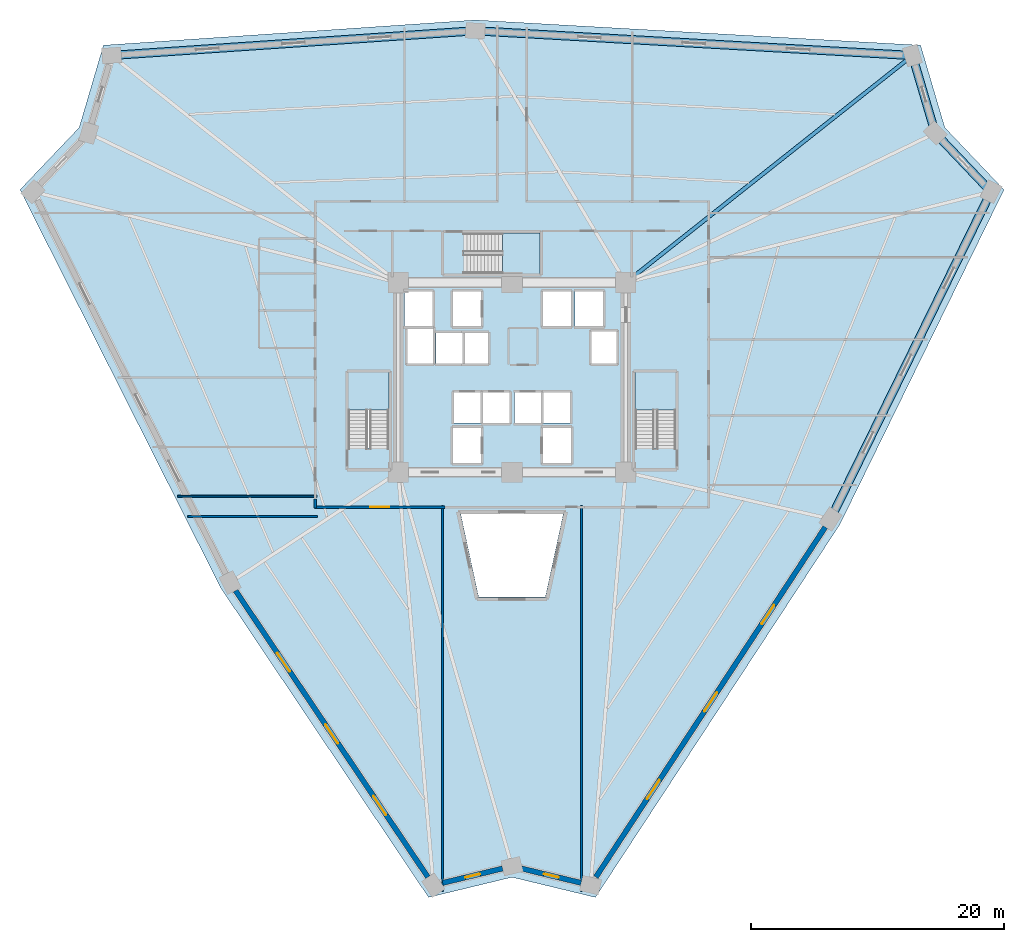
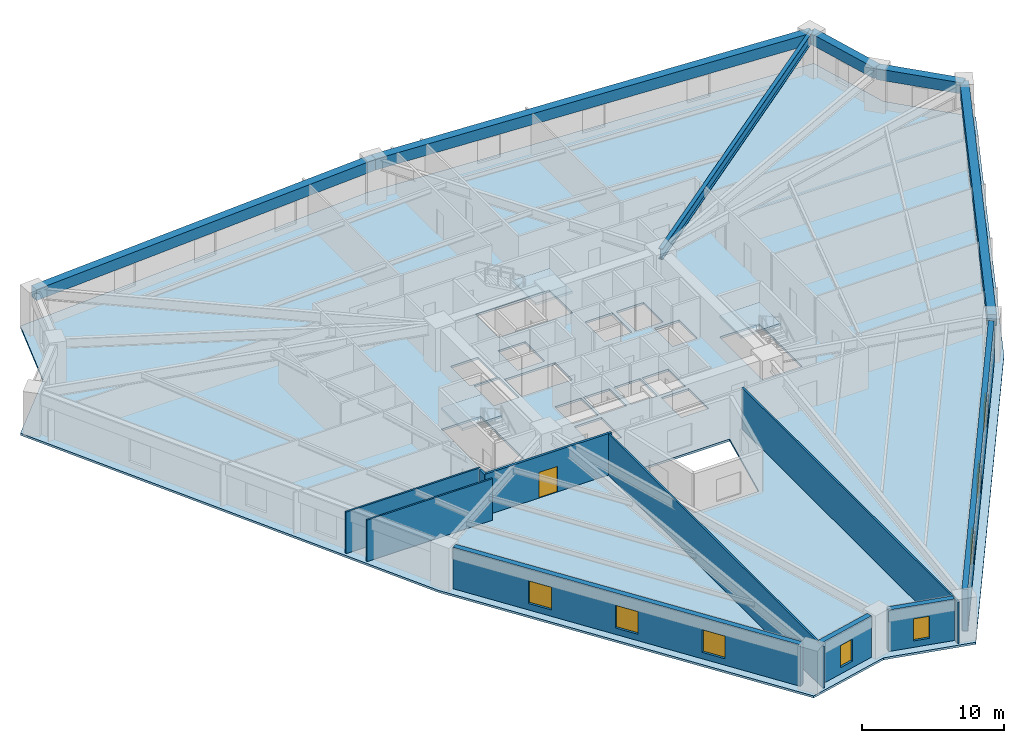
# One storey, part 2 of 8: 10 walls, 8 windows, 6 beams, 4 slabs, 1 door, 9 openings, 3 elements without a shape of their own.
"""IFC4 building model written with IfcOpenShell, lengths in metres."""

from ifc_helpers import new_model, si_unit, direction, frame, frame_2d, origin, origin_2d, place, context, subcontext, project, spatial, polyline, rectangle, i_section, outline, extrude, source, transform, mapped, material, layer, layer_set, material_profile, profile_set, type_object, element, fill, aggregate, save


model = new_model("IFC4")

# Units and contexts
model_context = context("Model", 3, precision=1e-05, world=origin(), true_north=direction((0.0, 1.0)))
body_context = subcontext(model_context, "Body", "Model", "MODEL_VIEW")
ifc_project = project(units=[si_unit("LENGTHUNIT", "METRE"), si_unit("AREAUNIT", "SQUARE_METRE"), si_unit("VOLUMEUNIT", "CUBIC_METRE"), si_unit("PLANEANGLEUNIT", "RADIAN"), si_unit("MASSUNIT", "GRAM", prefix="KILO")], contexts=[model_context])

# Site, building, storey
site_placement = place(None, origin())
site = spatial("IfcSite", under=ifc_project, at=site_placement, CompositionType="ELEMENT")
building_placement = place(site_placement, origin())
building = spatial("IfcBuilding", under=site, at=building_placement, Name="Liaohun Quay Tower", CompositionType="ELEMENT")
storey_placement = place(building_placement, frame((0.0, 0.0, 78.0)))
storey = spatial("IfcBuildingStorey", under=building, at=storey_placement, Name="L20", CompositionType="ELEMENT", Elevation=78.0)

# Beams
ifc_material_1 = material(Name="Steel Q420D", Category="steel")
ifc_material_profile_1 = material_profile(ifc_material_1, i_section(OverallWidth=0.300048828125, OverallDepth=0.89990234375, WebThickness=0.01611328125, FlangeThickness=0.028076171875, at=origin_2d()), Name="HN900x300x16x28")
ifc_profile_set_1 = profile_set([ifc_material_profile_1], Name="Steel Q420D")
beam_type_1 = type_object("IfcBeamType", Name="BM-RAD-H1", PredefinedType="BEAM", material=ifc_profile_set_1)
shared_shape_1 = source(origin(), body_context, "Body", "SweptSolid", [
    extrude(i_section(OverallWidth=0.300048828125, OverallDepth=0.89990234375, WebThickness=0.01611328125, FlangeThickness=0.028076171875, at=origin_2d()), origin(), (0.0, 0.0, 1.0), 28.9189453125),
])
beam_1_placement = place(storey_placement, frame((69.0, 61.5, 3.1201171875), z_axis=(0.783775959665, 0.621043674029, 0.0), x_axis=(-0.621043674029, 0.783775959665, 0.0)))
element("IfcBeam", 1, at=beam_1_placement, inside=storey, type_object=beam_type_1, Name="L20 Radial Primary Girder CC4-PC07", PredefinedType="BEAM", context=body_context, shape_type="MappedRepresentation", body=[
    mapped(shared_shape_1, transform((0.0, 0.0, 0.0), x_axis=(1.0, 0.0, 0.0), y_axis=(0.0, 1.0, 0.0), z_axis=(0.0, 0.0, 1.0), scale=1.0)),
])
ifc_material_2 = material(Name="Precast concrete C55", Category="concrete")
ifc_material_profile_2 = material_profile(ifc_material_2, rectangle(XDim=0.64990234375, YDim=0.949951171875, at=origin_2d()), Name="RC650x950")
ifc_profile_set_2 = profile_set([ifc_material_profile_2], Name="Precast concrete C55")
beam_type_2 = type_object("IfcBeamType", Name="BM-SPD-Z1", PredefinedType="SPANDREL", material=ifc_profile_set_2)
shared_shape_2 = source(origin(), body_context, "Body", "SweptSolid", [
    extrude(rectangle(XDim=0.64990234375, YDim=0.949951171875, at=origin_2d()), origin(), (0.0, 0.0, 1.0), 28.8271484375),
])
beam_2_placement = place(storey_placement, frame((28.3359375, 79.467041015625, 3.094970703125), z_axis=(0.99770728934, 0.067676914809, 0.0), x_axis=(-0.067676914809, 0.99770728934, 0.0)))
element("IfcBeam", 2, at=beam_2_placement, inside=storey, type_object=beam_type_2, Name="L20 Precast Spandrel Beam PC05-PC06", PredefinedType="SPANDREL", context=body_context, shape_type="MappedRepresentation", body=[
    mapped(shared_shape_2, transform((0.0, 0.0, 0.0), x_axis=(1.0, 0.0, 0.0), y_axis=(0.0, 1.0, 0.0), z_axis=(0.0, 0.0, 1.0), scale=1.0)),
])
shared_shape_3 = source(origin(), body_context, "Body", "SweptSolid", [
    extrude(rectangle(XDim=0.64990234375, YDim=0.949951171875, at=origin_2d()), origin(), (0.0, 0.0, 1.0), 34.62451171875),
])
beam_3_placement = place(storey_placement, frame((57.096923828125, 81.41796875, 3.094970703125), z_axis=(0.998399780783, -0.056549781008, 0.0), x_axis=(0.056549781008, 0.998399780783, 0.0)))
element("IfcBeam", 3, at=beam_3_placement, inside=storey, type_object=beam_type_2, Name="L20 Precast Spandrel Beam PC06-PC07", PredefinedType="SPANDREL", context=body_context, shape_type="MappedRepresentation", body=[
    mapped(shared_shape_3, transform((0.0, 0.0, 0.0), x_axis=(1.0, 0.0, 0.0), y_axis=(0.0, 1.0, 0.0), z_axis=(0.0, 0.0, 1.0), scale=1.0)),
])
shared_shape_4 = source(origin(), body_context, "Body", "SweptSolid", [
    extrude(rectangle(XDim=0.64990234375, YDim=0.949951171875, at=origin_2d()), origin(), (0.0, 0.0, 1.0), 6.39501953125),
])
beam_4_placement = place(storey_placement, frame((91.666015625, 79.4599609375, 3.094970703125), z_axis=(0.282738807051, -0.959196938583, 0.0), x_axis=(0.959196938583, 0.282738807051, 0.0)))
element("IfcBeam", 4, at=beam_4_placement, inside=storey, type_object=beam_type_2, Name="L20 Precast Spandrel Beam PC07-PC08", PredefinedType="SPANDREL", context=body_context, shape_type="MappedRepresentation", body=[
    mapped(shared_shape_4, transform((0.0, 0.0, 0.0), x_axis=(1.0, 0.0, 0.0), y_axis=(0.0, 1.0, 0.0), z_axis=(0.0, 0.0, 1.0), scale=1.0)),
])
shared_shape_5 = source(origin(), body_context, "Body", "SweptSolid", [
    extrude(rectangle(XDim=0.64990234375, YDim=0.949951171875, at=origin_2d()), origin(), (0.0, 0.0, 1.0), 6.40185546875),
])
beam_5_placement = place(storey_placement, frame((93.47412109375, 73.325927734375, 3.094970703125), z_axis=(0.689307516097, -0.724468873211, 0.0), x_axis=(0.724468873211, 0.689307516097, 0.0)))
element("IfcBeam", 5, at=beam_5_placement, inside=storey, type_object=beam_type_2, Name="L20 Precast Spandrel Beam PC08-PC09", PredefinedType="SPANDREL", context=body_context, shape_type="MappedRepresentation", body=[
    mapped(shared_shape_5, transform((0.0, 0.0, 0.0), x_axis=(1.0, 0.0, 0.0), y_axis=(0.0, 1.0, 0.0), z_axis=(0.0, 0.0, 1.0), scale=1.0)),
])
shared_shape_6 = source(origin(), body_context, "Body", "SweptSolid", [
    extrude(rectangle(XDim=0.64990234375, YDim=0.949951171875, at=origin_2d()), origin(), (0.0, 0.0, 1.0), 28.826171875),
])
beam_6_placement = place(storey_placement, frame((97.886962890625, 68.68798828125, 3.094970703125), z_axis=(-0.440258571868, -0.897871031884, 0.0), x_axis=(0.897871031884, -0.440258571868, 0.0)))
element("IfcBeam", 6, at=beam_6_placement, inside=storey, type_object=beam_type_2, Name="L20 Precast Spandrel Beam PC09-PC10", PredefinedType="SPANDREL", context=body_context, shape_type="MappedRepresentation", body=[
    mapped(shared_shape_6, transform((0.0, 0.0, 0.0), x_axis=(1.0, 0.0, 0.0), y_axis=(0.0, 1.0, 0.0), z_axis=(0.0, 0.0, 1.0), scale=1.0)),
])

# Stair, slab
ifc_material_3 = material(Name="Concrete C45", Category="concrete")
stair_type = type_object("IfcStairType", Name="STR-CORE-OFF", PredefinedType="HALF_TURN_STAIR", material=ifc_material_3)
stair_1_placement = place(storey_placement, origin())
stair_1 = element("IfcStair", 7, at=stair_1_placement, inside=storey, type_object=stair_type, Name="L20 Smokeproof Core Exit Stair ST-1", PredefinedType="HALF_TURN_STAIR")
ifc_layer_1 = layer(ifc_material_3, 0.199951171875, Name="Concrete C45", Category="concrete")
ifc_layer_set_1 = layer_set([ifc_layer_1], Name="Concrete C45")
slab_type_1 = type_object("IfcSlabType", Name="SLB-LND-200", PredefinedType="LANDING", material=ifc_layer_set_1)
slab_1_placement = place(storey_placement, frame((0.0, 0.0, 1.675048828125)))
slab_1 = element("IfcSlab", 8, at=slab_1_placement, type_object=slab_type_1, Name="ST-1 landing 1", PredefinedType="LANDING", context=body_context, shape_type="SweptSolid", body=[
    extrude(outline(polyline([(50.280029296875, 51.429931640625), (50.280029296875, 54.419921875), (47.0400390625, 54.419921875), (47.0400390625, 51.429931640625), (50.280029296875, 51.429931640625)])), origin(), (0.0, 0.0, 1.0), 0.199951171875),
])
aggregate(stair_1, [slab_1])

stair_2_placement = place(storey_placement, origin())
stair_2 = element("IfcStair", 9, at=stair_2_placement, inside=storey, type_object=stair_type, Name="L20 Smokeproof Core Exit Stair ST-2", PredefinedType="HALF_TURN_STAIR")
slab_2_placement = place(storey_placement, frame((0.0, 0.0, 1.675048828125)))
slab_2 = element("IfcSlab", 10, at=slab_2_placement, type_object=slab_type_1, Name="ST-2 landing 1", PredefinedType="LANDING", context=body_context, shape_type="SweptSolid", body=[
    extrude(outline(polyline([(72.9599609375, 51.429931640625), (72.9599609375, 54.419921875), (69.719970703125, 54.419921875), (69.719970703125, 51.429931640625), (72.9599609375, 51.429931640625)])), origin(), (0.0, 0.0, 1.0), 0.199951171875),
])
aggregate(stair_2, [slab_2])

stair_3_placement = place(storey_placement, origin())
stair_3 = element("IfcStair", 11, at=stair_3_placement, inside=storey, type_object=stair_type, Name="L20 Smokeproof Core Exit Stair ST-3", PredefinedType="HALF_TURN_STAIR")
slab_3_placement = place(storey_placement, frame((0.0, 0.0, 1.675048828125)))
slab_3 = element("IfcSlab", 12, at=slab_3_placement, type_object=slab_type_1, Name="ST-3 landing 1", PredefinedType="LANDING", context=body_context, shape_type="SweptSolid", body=[
    extrude(outline(polyline([(59.22998046875, 62.199951171875), (62.219970703125, 62.199951171875), (62.219970703125, 65.43994140625), (59.22998046875, 65.43994140625), (59.22998046875, 62.199951171875)])), origin(), (0.0, 0.0, 1.0), 0.199951171875),
])
aggregate(stair_3, [slab_3])

# Slab
ifc_layer_2 = layer(ifc_material_3, 0.179931640625, Name="Concrete C45", Category="concrete")
ifc_layer_set_2 = layer_set([ifc_layer_2], Name="Concrete C45")
slab_type_2 = type_object("IfcSlabType", Name="SLB-OFF-180", PredefinedType="FLOOR", material=ifc_layer_set_2)
slab_4_placement = place(storey_placement, frame((0.0, 0.0, -0.179931640625)))
element("IfcSlab", 13, at=slab_4_placement, inside=storey, type_object=slab_type_2, Name="L20 Structural Floor Slab", PredefinedType="FLOOR", context=body_context, shape_type="SweptSolid", body=[
    extrude(outline(polyline([(53.40087890625, 12.87890625), (60.0, 14.472900390625), (66.59912109375, 12.87890625), (85.93603515625, 42.384033203125), (98.910888671875, 68.844970703125), (94.23095703125, 73.762939453125), (92.31201171875, 80.27490234375), (57.092041015625, 82.27001953125), (27.68798828125, 80.27490234375), (25.76904296875, 73.762939453125), (21.089111328125, 68.844970703125), (36.971923828125, 37.346923828125), (53.40087890625, 12.87890625)]), holes=[polyline([(57.56005859375, 47.2099609375), (57.56005859375, 50.030029296875), (55.340087890625, 50.030029296875), (55.340087890625, 47.2099609375), (57.56005859375, 47.2099609375)]), polyline([(50.280029296875, 54.419921875), (47.0400390625, 54.419921875), (47.0400390625, 48.409912109375), (50.280029296875, 48.409912109375), (50.280029296875, 54.419921875)]), polyline([(57.510009765625, 50.389892578125), (57.510009765625, 52.81005859375), (55.389892578125, 52.81005859375), (55.389892578125, 50.389892578125), (57.510009765625, 50.389892578125)]), polyline([(59.81005859375, 50.389892578125), (59.81005859375, 52.81005859375), (57.68994140625, 52.81005859375), (57.68994140625, 50.389892578125), (59.81005859375, 50.389892578125)]), polyline([(58.110107421875, 57.510009765625), (53.989990234375, 57.510009765625), (53.989990234375, 55.090087890625), (58.110107421875, 55.090087890625), (58.110107421875, 57.510009765625)]), polyline([(53.760009765625, 55.090087890625), (53.760009765625, 57.909912109375), (51.7099609375, 57.909912109375), (51.7099609375, 55.090087890625), (53.760009765625, 55.090087890625)]), polyline([(51.489990234375, 58.0400390625), (53.7099609375, 58.0400390625), (53.7099609375, 60.7900390625), (51.489990234375, 60.7900390625), (51.489990234375, 58.0400390625)]), polyline([(55.340087890625, 58.0400390625), (57.56005859375, 58.0400390625), (57.56005859375, 60.7900390625), (55.340087890625, 60.7900390625), (55.340087890625, 58.0400390625)]), polyline([(62.636962890625, 36.631103515625), (64.056884765625, 43.199951171875), (55.943115234375, 43.199951171875), (57.363037109375, 36.631103515625), (62.636962890625, 36.631103515625)]), polyline([(64.659912109375, 47.2099609375), (64.659912109375, 50.030029296875), (62.43994140625, 50.030029296875), (62.43994140625, 47.2099609375), (64.659912109375, 47.2099609375)]), polyline([(72.9599609375, 54.419921875), (69.719970703125, 54.419921875), (69.719970703125, 48.409912109375), (72.9599609375, 48.409912109375), (72.9599609375, 54.419921875)]), polyline([(62.31005859375, 50.389892578125), (62.31005859375, 52.81005859375), (60.18994140625, 52.81005859375), (60.18994140625, 50.389892578125), (62.31005859375, 50.389892578125)]), polyline([(64.610107421875, 50.389892578125), (64.610107421875, 52.81005859375), (62.489990234375, 52.81005859375), (62.489990234375, 50.389892578125), (64.610107421875, 50.389892578125)]), polyline([(68.2900390625, 55.090087890625), (68.2900390625, 57.659912109375), (66.2900390625, 57.659912109375), (66.2900390625, 55.090087890625), (68.2900390625, 55.090087890625)]), polyline([(64.659912109375, 58.0400390625), (64.659912109375, 60.7900390625), (62.43994140625, 60.7900390625), (62.43994140625, 58.0400390625), (64.659912109375, 58.0400390625)]), polyline([(64.989990234375, 58.0400390625), (67.2099609375, 58.0400390625), (67.2099609375, 60.7900390625), (64.989990234375, 60.7900390625), (64.989990234375, 58.0400390625)]), polyline([(56.2099609375, 62.199951171875), (62.219970703125, 62.199951171875), (62.219970703125, 65.43994140625), (56.2099609375, 65.43994140625), (56.2099609375, 62.199951171875)])]), origin(), (0.0, 0.0, 1.0), 0.179931640625),
])

# Wall, opening, window
ifc_material_4 = material(Name="Precast concrete C50 insulated sandwich", Category="concrete")
ifc_layer_3 = layer(ifc_material_4, 0.419921875, Name="Precast concrete C50 insulated sandwich", Category="concrete")
ifc_layer_set_3 = layer_set([ifc_layer_3], Name="Precast concrete C50 insulated sandwich")
wall_type_1 = type_object("IfcWallType", Name="WAL-EXT-Z12", PredefinedType="SOLIDWALL", material=ifc_layer_set_3)
wall_1_placement = place(storey_placement, frame((60.743896484375, 15.1669921875, 0.0), z_axis=(0.0, 0.0, 1.0), x_axis=(0.972088524974, -0.234614363613, 0.0)))
wall_1 = element("IfcWall", 14, at=wall_1_placement, inside=storey, type_object=wall_type_1, Name="L20 Brutalist Precast Pier Wall 01", PredefinedType="SOLIDWALL", context=body_context, shape_type="SweptSolid", body=[
    extrude(rectangle(XDim=4.86376953125, YDim=0.419921875, at=frame_2d((2.431884765625, 0.0))), origin(), (0.0, 0.0, 1.0), 3.570068359375),
])
shared_shape_7 = source(origin(), body_context, "Body", "SweptSolid", [
    extrude(rectangle(XDim=1.199951171875, YDim=1.89990234375, at=frame_2d((0.60009765625, 0.949951171875))), frame((0.0, 0.219970703125, 0.0), z_axis=(0.0, -1.0, 0.0), x_axis=(1.0, 0.0, 0.0)), (0.0, 0.0, 1.0), 0.43994140625),
])
opening_1_placement = place(wall_1_placement, frame((1.83203125, 0.0, 0.550048828125)))
opening_1 = element("IfcOpeningElement", 15, at=opening_1_placement, cuts=wall_1, Name="Opening W05", PredefinedType="OPENING", context=body_context, shape_type="MappedRepresentation", body=[
    mapped(shared_shape_7, transform((0.0, 0.0, 0.0), x_axis=(1.0, 0.0, 0.0), y_axis=(0.0, 1.0, 0.0), z_axis=(0.0, 0.0, 1.0), scale=1.0)),
])
ifc_material_5 = material(Name="Triple Low-E corner notch glazing", Category="glass")
window_type_1 = type_object("IfcWindowType", Name="WIN-NOTCH", PartitioningType="SINGLE_PANEL", PredefinedType="WINDOW", material=ifc_material_5)
shared_shape_8 = source(origin(), body_context, "Body", "SweptSolid", [
    extrude(rectangle(XDim=1.199951171875, YDim=1.89990234375, at=frame_2d((0.60009765625, 0.949951171875))), frame((0.0, 0.030029296875, 0.0), z_axis=(0.0, -1.0, 0.0), x_axis=(1.0, 0.0, 0.0)), (0.0, 0.0, 1.0), 0.06005859375),
])
window_1_placement = place(opening_1_placement, origin())
window_1 = element("IfcWindow", 16, at=window_1_placement, inside=storey, type_object=window_type_1, Name="L20 Corner Notch Window W05-01", OverallHeight=1.89990234375, OverallWidth=1.199951171875, PartitioningType="SINGLE_PANEL", PredefinedType="WINDOW", context=body_context, shape_type="MappedRepresentation", body=[
    mapped(shared_shape_8, transform((0.0, 0.0, 0.0), x_axis=(1.0, 0.0, 0.0), y_axis=(0.0, 1.0, 0.0), z_axis=(0.0, 0.0, 1.0), scale=1.0)),
])
fill(opening_1, window_1)

# Wall, openings, windows
wall_2_placement = place(storey_placement, frame((66.635009765625, 14.486083984375, 0.0), z_axis=(0.0, 0.0, 1.0), x_axis=(0.548173435932, 0.836364683699, 0.0)))
wall_2 = element("IfcWall", 17, at=wall_2_placement, inside=storey, type_object=wall_type_1, Name="L20 Brutalist Precast Pier Wall 02", PredefinedType="SOLIDWALL", context=body_context, shape_type="SweptSolid", body=[
    extrude(rectangle(XDim=33.095458984375, YDim=0.419921875, at=frame_2d((16.5478515625, 0.0))), origin(), (0.0, 0.0, 1.0), 3.570068359375),
])
shared_shape_9 = source(origin(), body_context, "Body", "SweptSolid", [
    extrude(rectangle(XDim=1.800048828125, YDim=1.949951171875, at=frame_2d((0.89990234375, 0.97509765625))), frame((0.0, 0.219970703125, 0.0), z_axis=(0.0, -1.0, 0.0), x_axis=(1.0, 0.0, 0.0)), (0.0, 0.0, 1.0), 0.43994140625),
])
opening_2_placement = place(wall_2_placement, frame((7.3740234375, 0.0, 0.550048828125)))
opening_2 = element("IfcOpeningElement", 18, at=opening_2_placement, cuts=wall_2, Name="Opening W01", PredefinedType="OPENING", context=body_context, shape_type="MappedRepresentation", body=[
    mapped(shared_shape_9, transform((0.0, 0.0, 0.0), x_axis=(1.0, 0.0, 0.0), y_axis=(0.0, 1.0, 0.0), z_axis=(0.0, 0.0, 1.0), scale=1.0)),
])
opening_3_placement = place(wall_2_placement, frame((15.64794921875, 0.0, 0.550048828125)))
opening_3 = element("IfcOpeningElement", 19, at=opening_3_placement, cuts=wall_2, Name="Opening W01", PredefinedType="OPENING", context=body_context, shape_type="MappedRepresentation", body=[
    mapped(shared_shape_9, transform((0.0, 0.0, 0.0), x_axis=(1.0, 0.0, 0.0), y_axis=(0.0, 1.0, 0.0), z_axis=(0.0, 0.0, 1.0), scale=1.0)),
])
opening_4_placement = place(wall_2_placement, frame((23.922119140625, 0.0, 0.550048828125)))
opening_4 = element("IfcOpeningElement", 20, at=opening_4_placement, cuts=wall_2, Name="Opening W01", PredefinedType="OPENING", context=body_context, shape_type="MappedRepresentation", body=[
    mapped(shared_shape_9, transform((0.0, 0.0, 0.0), x_axis=(1.0, 0.0, 0.0), y_axis=(0.0, 1.0, 0.0), z_axis=(0.0, 0.0, 1.0), scale=1.0)),
])
ifc_material_6 = material(Name="Triple Low-E argon glazing in thermally broken aluminium", Category="aluminium")
window_type_2 = type_object("IfcWindowType", Name="WIN-PUN-Z1", PartitioningType="DOUBLE_PANEL_VERTICAL", PredefinedType="WINDOW", material=ifc_material_6)
shared_shape_10 = source(origin(), body_context, "Body", "SweptSolid", [
    extrude(rectangle(XDim=1.800048828125, YDim=1.949951171875, at=frame_2d((0.89990234375, 0.97509765625))), frame((0.0, 0.030029296875, 0.0), z_axis=(0.0, -1.0, 0.0), x_axis=(1.0, 0.0, 0.0)), (0.0, 0.0, 1.0), 0.06005859375),
])
window_2_placement = place(opening_2_placement, origin())
window_2 = element("IfcWindow", 21, at=window_2_placement, inside=storey, type_object=window_type_2, Name="L20 Recessed Cold-Climate Punched Window 02-1", OverallHeight=1.949951171875, OverallWidth=1.800048828125, PartitioningType="DOUBLE_PANEL_VERTICAL", PredefinedType="WINDOW", context=body_context, shape_type="MappedRepresentation", body=[
    mapped(shared_shape_10, transform((0.0, 0.0, 0.0), x_axis=(1.0, 0.0, 0.0), y_axis=(0.0, 1.0, 0.0), z_axis=(0.0, 0.0, 1.0), scale=1.0)),
])
fill(opening_2, window_2)
window_3_placement = place(opening_3_placement, origin())
window_3 = element("IfcWindow", 22, at=window_3_placement, inside=storey, type_object=window_type_2, Name="L20 Recessed Cold-Climate Punched Window 02-2", OverallHeight=1.949951171875, OverallWidth=1.800048828125, PartitioningType="DOUBLE_PANEL_VERTICAL", PredefinedType="WINDOW", context=body_context, shape_type="MappedRepresentation", body=[
    mapped(shared_shape_10, transform((0.0, 0.0, 0.0), x_axis=(1.0, 0.0, 0.0), y_axis=(0.0, 1.0, 0.0), z_axis=(0.0, 0.0, 1.0), scale=1.0)),
])
fill(opening_3, window_3)
window_4_placement = place(opening_4_placement, origin())
window_4 = element("IfcWindow", 23, at=window_4_placement, inside=storey, type_object=window_type_2, Name="L20 Recessed Cold-Climate Punched Window 02-3", OverallHeight=1.949951171875, OverallWidth=1.800048828125, PartitioningType="DOUBLE_PANEL_VERTICAL", PredefinedType="WINDOW", context=body_context, shape_type="MappedRepresentation", body=[
    mapped(shared_shape_10, transform((0.0, 0.0, 0.0), x_axis=(1.0, 0.0, 0.0), y_axis=(0.0, 1.0, 0.0), z_axis=(0.0, 0.0, 1.0), scale=1.0)),
])
fill(opening_4, window_4)

wall_3_placement = place(storey_placement, frame((38.133056640625, 37.14208984375, 0.0), z_axis=(0.0, 0.0, 1.0), x_axis=(0.557468884112, -0.830197833801, 0.0)))
wall_3 = element("IfcWall", 24, at=wall_3_placement, inside=storey, type_object=wall_type_1, Name="L20 Brutalist Precast Pier Wall 11", PredefinedType="SOLIDWALL", context=body_context, shape_type="SweptSolid", body=[
    extrude(rectangle(XDim=27.29833984375, YDim=0.419921875, at=frame_2d((13.649169921875, 0.0))), origin(), (0.0, 0.0, 1.0), 3.570068359375),
])
opening_5_placement = place(wall_3_placement, frame((5.925048828125, 0.0, 0.550048828125)))
opening_5 = element("IfcOpeningElement", 25, at=opening_5_placement, cuts=wall_3, Name="Opening W01", PredefinedType="OPENING", context=body_context, shape_type="MappedRepresentation", body=[
    mapped(shared_shape_9, transform((0.0, 0.0, 0.0), x_axis=(1.0, 0.0, 0.0), y_axis=(0.0, 1.0, 0.0), z_axis=(0.0, 0.0, 1.0), scale=1.0)),
])
opening_6_placement = place(wall_3_placement, frame((12.7490234375, 0.0, 0.550048828125)))
opening_6 = element("IfcOpeningElement", 26, at=opening_6_placement, cuts=wall_3, Name="Opening W01", PredefinedType="OPENING", context=body_context, shape_type="MappedRepresentation", body=[
    mapped(shared_shape_9, transform((0.0, 0.0, 0.0), x_axis=(1.0, 0.0, 0.0), y_axis=(0.0, 1.0, 0.0), z_axis=(0.0, 0.0, 1.0), scale=1.0)),
])
opening_7_placement = place(wall_3_placement, frame((19.573974609375, 0.0, 0.550048828125)))
opening_7 = element("IfcOpeningElement", 27, at=opening_7_placement, cuts=wall_3, Name="Opening W01", PredefinedType="OPENING", context=body_context, shape_type="MappedRepresentation", body=[
    mapped(shared_shape_9, transform((0.0, 0.0, 0.0), x_axis=(1.0, 0.0, 0.0), y_axis=(0.0, 1.0, 0.0), z_axis=(0.0, 0.0, 1.0), scale=1.0)),
])
window_5_placement = place(opening_5_placement, origin())
window_5 = element("IfcWindow", 28, at=window_5_placement, inside=storey, type_object=window_type_2, Name="L20 Recessed Cold-Climate Punched Window 11-1", OverallHeight=1.949951171875, OverallWidth=1.800048828125, PartitioningType="DOUBLE_PANEL_VERTICAL", PredefinedType="WINDOW", context=body_context, shape_type="MappedRepresentation", body=[
    mapped(shared_shape_10, transform((0.0, 0.0, 0.0), x_axis=(1.0, 0.0, 0.0), y_axis=(0.0, 1.0, 0.0), z_axis=(0.0, 0.0, 1.0), scale=1.0)),
])
fill(opening_5, window_5)
window_6_placement = place(opening_6_placement, origin())
window_6 = element("IfcWindow", 29, at=window_6_placement, inside=storey, type_object=window_type_2, Name="L20 Recessed Cold-Climate Punched Window 11-2", OverallHeight=1.949951171875, OverallWidth=1.800048828125, PartitioningType="DOUBLE_PANEL_VERTICAL", PredefinedType="WINDOW", context=body_context, shape_type="MappedRepresentation", body=[
    mapped(shared_shape_10, transform((0.0, 0.0, 0.0), x_axis=(1.0, 0.0, 0.0), y_axis=(0.0, 1.0, 0.0), z_axis=(0.0, 0.0, 1.0), scale=1.0)),
])
fill(opening_6, window_6)
window_7_placement = place(opening_7_placement, origin())
window_7 = element("IfcWindow", 30, at=window_7_placement, inside=storey, type_object=window_type_2, Name="L20 Recessed Cold-Climate Punched Window 11-3", OverallHeight=1.949951171875, OverallWidth=1.800048828125, PartitioningType="DOUBLE_PANEL_VERTICAL", PredefinedType="WINDOW", context=body_context, shape_type="MappedRepresentation", body=[
    mapped(shared_shape_10, transform((0.0, 0.0, 0.0), x_axis=(1.0, 0.0, 0.0), y_axis=(0.0, 1.0, 0.0), z_axis=(0.0, 0.0, 1.0), scale=1.0)),
])
fill(opening_7, window_7)

# Wall, opening, window
wall_4_placement = place(storey_placement, frame((54.52099609375, 14.02392578125, 0.0), z_axis=(0.0, 0.0, 1.0), x_axis=(0.972077083714, 0.234661763648, 0.0)))
wall_4 = element("IfcWall", 31, at=wall_4_placement, inside=storey, type_object=wall_type_1, Name="L20 Brutalist Precast Pier Wall 12", PredefinedType="SOLIDWALL", context=body_context, shape_type="SweptSolid", body=[
    extrude(rectangle(XDim=4.87109375, YDim=0.419921875, at=frame_2d((2.435546875, 0.0))), origin(), (0.0, 0.0, 1.0), 3.570068359375),
])
opening_8_placement = place(wall_4_placement, frame((1.8359375, 0.0, 0.550048828125)))
opening_8 = element("IfcOpeningElement", 32, at=opening_8_placement, cuts=wall_4, Name="Opening W05", PredefinedType="OPENING", context=body_context, shape_type="MappedRepresentation", body=[
    mapped(shared_shape_7, transform((0.0, 0.0, 0.0), x_axis=(1.0, 0.0, 0.0), y_axis=(0.0, 1.0, 0.0), z_axis=(0.0, 0.0, 1.0), scale=1.0)),
])
window_8_placement = place(opening_8_placement, origin())
window_8 = element("IfcWindow", 33, at=window_8_placement, inside=storey, type_object=window_type_1, Name="L20 Corner Notch Window W05-12", OverallHeight=1.89990234375, OverallWidth=1.199951171875, PartitioningType="SINGLE_PANEL", PredefinedType="WINDOW", context=body_context, shape_type="MappedRepresentation", body=[
    mapped(shared_shape_8, transform((0.0, 0.0, 0.0), x_axis=(1.0, 0.0, 0.0), y_axis=(0.0, 1.0, 0.0), z_axis=(0.0, 0.0, 1.0), scale=1.0)),
])
fill(opening_8, window_8)

# Wall, opening, door
ifc_material_7 = material(Name="Autoclaved aerated concrete blockwork", Category="masonry")
ifc_layer_4 = layer(ifc_material_7, 0.179931640625, Name="Autoclaved aerated concrete blockwork", Category="masonry")
ifc_layer_set_4 = layer_set([ifc_layer_4], Name="Autoclaved aerated concrete blockwork")
wall_type_2 = type_object("IfcWallType", Name="WAL-PRT-COR", PredefinedType="PARTITIONING", material=ifc_layer_set_4)
wall_5_placement = place(storey_placement, frame((54.715087890625, 43.739990234375, 0.0), z_axis=(0.0, 0.0, 1.0), x_axis=(-1.0, 0.0, 0.0)))
wall_5 = element("IfcWall", 34, at=wall_5_placement, inside=storey, type_object=wall_type_2, Name="L20 Interior Partition Wall 019", PredefinedType="PARTITIONING", context=body_context, shape_type="SweptSolid", body=[
    extrude(rectangle(XDim=10.344970703125, YDim=0.179931640625, at=frame_2d((5.17236328125, 0.0))), origin(), (0.0, 0.0, 1.0), 3.570068359375),
])
shared_shape_11 = source(origin(), body_context, "Body", "SweptSolid", [
    extrude(rectangle(XDim=1.5, YDim=2.199951171875, at=frame_2d((0.75, 1.10009765625))), frame((0.0, 0.099853515625, 0.0), z_axis=(0.0, -1.0, 0.0), x_axis=(1.0, 0.0, 0.0)), (0.0, 0.0, 1.0), 0.199951171875),
])
opening_9_placement = place(wall_5_placement, frame((4.423095703125, 0.0, 0.0)))
opening_9 = element("IfcOpeningElement", 35, at=opening_9_placement, cuts=wall_5, Name="Opening OD2", PredefinedType="OPENING", context=body_context, shape_type="MappedRepresentation", body=[
    mapped(shared_shape_11, transform((0.0, 0.0, 0.0), x_axis=(1.0, 0.0, 0.0), y_axis=(0.0, 1.0, 0.0), z_axis=(0.0, 0.0, 1.0), scale=1.0)),
])
ifc_material_8 = material(Name="Acoustic oak veneer double door")
door_type = type_object("IfcDoorType", Name="DOR-OFF-1500", OperationType="DOUBLE_DOOR_SINGLE_SWING", PredefinedType="DOOR", material=ifc_material_8)
shared_shape_12 = source(origin(), body_context, "Body", "SweptSolid", [
    extrude(rectangle(XDim=1.5, YDim=2.199951171875, at=frame_2d((0.75, 1.10009765625))), frame((0.0, 0.02490234375, 0.0), z_axis=(0.0, -1.0, 0.0), x_axis=(1.0, 0.0, 0.0)), (0.0, 0.0, 1.0), 0.050048828125),
])
door_placement = place(opening_9_placement, origin())
door = element("IfcDoor", 36, at=door_placement, inside=storey, type_object=door_type, Name="L20 Executive Partner Office 11 Door", OperationType="DOUBLE_DOOR_SINGLE_SWING", OverallHeight=2.199951171875, OverallWidth=1.5, PredefinedType="DOOR", context=body_context, shape_type="MappedRepresentation", body=[
    mapped(shared_shape_12, transform((0.0, 0.0, 0.0), x_axis=(1.0, 0.0, 0.0), y_axis=(0.0, 1.0, 0.0), z_axis=(0.0, 0.0, 1.0), scale=1.0)),
])
fill(opening_9, door)

# Walls
wall_6_placement = place(storey_placement, frame((44.43994140625, 43.669921875, 0.0), z_axis=(0.0, 0.0, 1.0), x_axis=(0.0, 1.0, 0.0)))
element("IfcWall", 37, at=wall_6_placement, inside=storey, type_object=wall_type_2, Name="L20 Interior Partition Wall 038", PredefinedType="PARTITIONING", context=body_context, shape_type="SweptSolid", body=[
    extrude(rectangle(XDim=0.715087890625, YDim=0.179931640625, at=frame_2d((0.357421875, 0.0))), origin(), (0.0, 0.0, 1.0), 3.570068359375),
])
ifc_material_9 = material(Name="Gypsum board on twin steel studs", Category="steel")
ifc_layer_5 = layer(ifc_material_9, 0.139892578125, Name="Gypsum board on twin steel studs", Category="steel")
ifc_layer_set_5 = layer_set([ifc_layer_5], Name="Gypsum board on twin steel studs")
wall_type_3 = type_object("IfcWallType", Name="WAL-PRT-OFF", PredefinedType="PARTITIONING", material=ifc_layer_set_5)
wall_7_placement = place(storey_placement, frame((44.60009765625, 43.0, 0.0), z_axis=(0.0, 0.0, 1.0), x_axis=(-1.0, 0.0, 0.0)))
element("IfcWall", 38, at=wall_7_placement, inside=storey, type_object=wall_type_3, Name="L20 Interior Partition Wall 040", PredefinedType="PARTITIONING", context=body_context, shape_type="SweptSolid", body=[
    extrude(rectangle(XDim=10.232177734375, YDim=0.139892578125, at=frame_2d((5.1162109375, 0.0))), origin(), (0.0, 0.0, 1.0), 3.570068359375),
])
wall_8_placement = place(storey_placement, frame((44.5400390625, 44.60009765625, 0.0), z_axis=(0.0, 0.0, 1.0), x_axis=(-1.0, 0.0, 0.0)))
element("IfcWall", 39, at=wall_8_placement, inside=storey, type_object=wall_type_3, Name="L20 Interior Partition Wall 041", PredefinedType="PARTITIONING", context=body_context, shape_type="SweptSolid", body=[
    extrude(rectangle(XDim=10.97900390625, YDim=0.139892578125, at=frame_2d((5.489501953125, 0.0))), origin(), (0.0, 0.0, 1.0), 3.570068359375),
])
for number, where, z_axis, x_axis, name in (
    (40, (54.5, 43.840087890625, 0.0), (0.0, 0.0, 1.0), (0.0, -1.0, 0.0), "L20 Interior Partition Wall 052"),
    (41, (65.5, 43.840087890625, 0.0), (0.0, 0.0, 1.0), (0.0, -1.0, 0.0), "L20 Interior Partition Wall 053"),
):
    element("IfcWall", number, at=place(storey_placement, frame(where, z_axis=z_axis, x_axis=x_axis)), inside=storey, type_object=wall_type_3, Name=name, PredefinedType="PARTITIONING", context=body_context, shape_type="SweptSolid", body=[
        extrude(rectangle(XDim=30.468994140625, YDim=0.139892578125, at=frame_2d((15.234375, 0.0))), origin(), (0.0, 0.0, 1.0), 3.570068359375),
    ])

save(model, "model.ifc")
